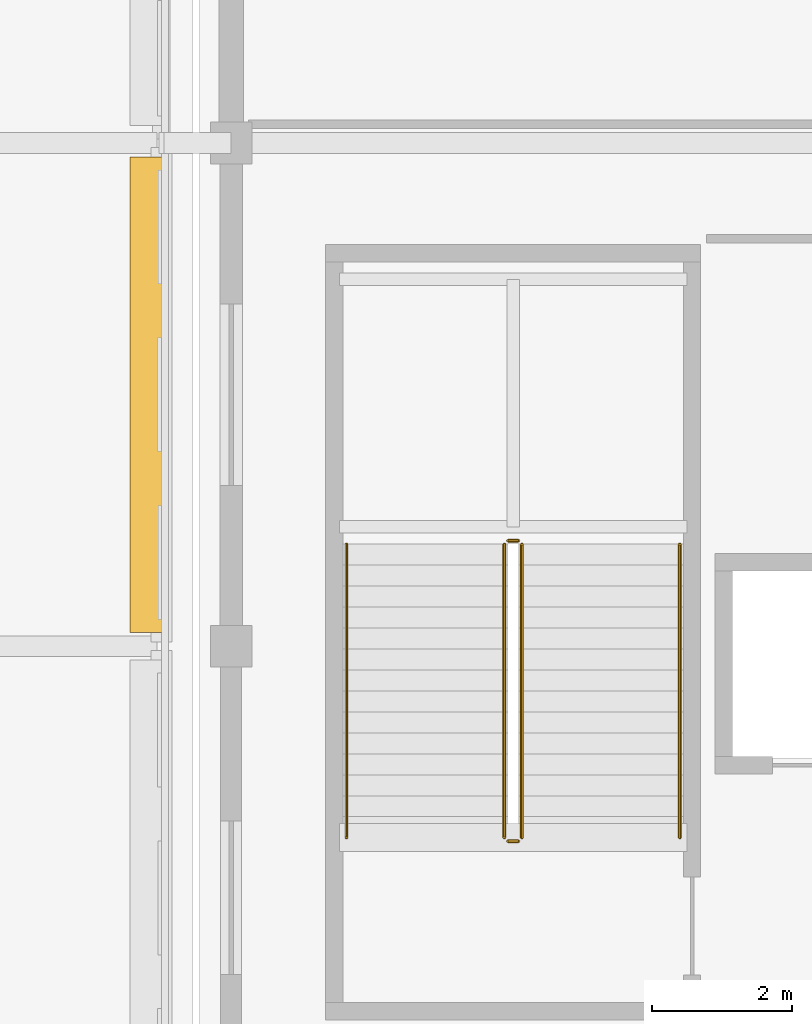
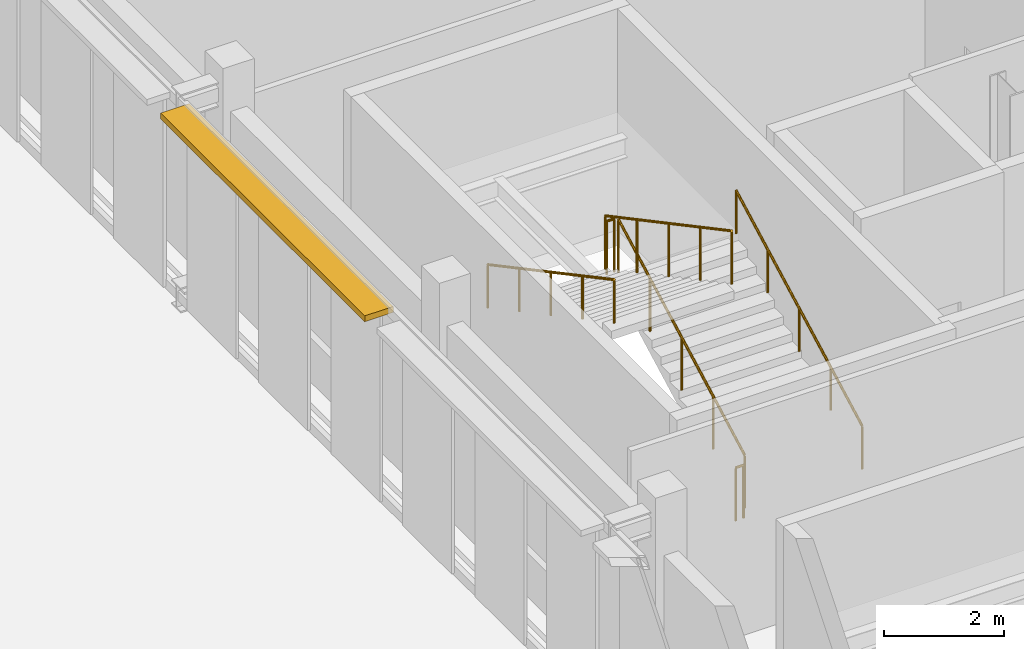
# One storey, part 60 of 74: 6 railings, 1 shading device.
"""IFC4 building model written with IfcOpenShell, lengths in metres."""

from ifc_helpers import new_model, si_unit, direction, frame, origin, origin_2d, place, context, subcontext, project, spatial, rectangle, circle, extrude, material, type_object, element, save


model = new_model("IFC4")

# Units and contexts
model_context = context("Model", 3, precision=1e-05, world=origin(), true_north=direction((0.0, 1.0)))
body_context = subcontext(model_context, "Body", "Model", "MODEL_VIEW")
ifc_project = project(units=[si_unit("LENGTHUNIT", "METRE"), si_unit("AREAUNIT", "SQUARE_METRE"), si_unit("VOLUMEUNIT", "CUBIC_METRE"), si_unit("PLANEANGLEUNIT", "RADIAN"), si_unit("MASSUNIT", "GRAM", prefix="KILO")], contexts=[model_context])

# Site, building, storey
site_placement = place(None, origin())
site = spatial("IfcSite", under=ifc_project, at=site_placement, CompositionType="ELEMENT")
building_placement = place(site_placement, origin())
building = spatial("IfcBuilding", under=site, at=building_placement, Name="Koshinbarg Plaza Stadium", CompositionType="ELEMENT")
storey_placement = place(building_placement, frame((0.0, 0.0, 15.0)))
storey = spatial("IfcBuildingStorey", under=building, at=storey_placement, Name="L03", CompositionType="ELEMENT", Elevation=15.0)

# Railings
ifc_material_1 = material(Name="Galvanized painted steel guardrail", Category="steel")
railing_type_1 = type_object("IfcRailingType", Name="RL-GUARD-1100", PredefinedType="GUARDRAIL", material=ifc_material_1)
railing_1_placement = place(storey_placement, frame((28.760009765625, 101.9599609375, 0.159912109375)))
element("IfcRailing", 1, at=railing_1_placement, inside=storey, type_object=railing_type_1, Name="L03 C06 stair guard 1", PredefinedType="GUARDRAIL", context=body_context, shape_type="SweptSolid", body=[
    extrude(circle(Radius=0.02392578125, at=origin_2d()), frame((0.0, 0.0, 1.076171875), z_axis=(0.0, 0.882351521365, 0.470590897432), x_axis=(-1.0, 0.0, 0.0)), (0.0, 0.0, 1.0), 4.760009765625),
    extrude(circle(Radius=0.02099609375, at=origin_2d()), origin(), (0.0, 0.0, 1.0), 1.052001953125),
    extrude(circle(Radius=0.02099609375, at=origin_2d()), frame((0.0, 1.050048828125, 0.56005859375)), (0.0, 0.0, 1.0), 1.052001953125),
    extrude(circle(Radius=0.02099609375, at=origin_2d()), frame((0.0, 2.10009765625, 1.1201171875)), (0.0, 0.0, 1.0), 1.052001953125),
    extrude(circle(Radius=0.02099609375, at=origin_2d()), frame((0.0, 3.14990234375, 1.679931640625)), (0.0, 0.0, 1.0), 1.052001953125),
    extrude(circle(Radius=0.02099609375, at=origin_2d()), frame((0.0, 4.199951171875, 2.239990234375)), (0.0, 0.0, 1.0), 1.052001953125),
])
railing_2_placement = place(storey_placement, frame((28.7099609375, 106.2099609375, 2.39990234375)))
element("IfcRailing", 2, at=railing_2_placement, inside=storey, type_object=railing_type_1, Name="L03 C06 stair guard 2", PredefinedType="GUARDRAIL", context=body_context, shape_type="SweptSolid", body=[
    extrude(circle(Radius=0.02392578125, at=origin_2d()), frame((0.0, 0.0, 1.076171875), z_axis=(-1.0, 0.0, 0.0), x_axis=(0.0, -1.0, 0.0)), (0.0, 0.0, 1.0), 0.14990234375),
    extrude(circle(Radius=0.02099609375, at=origin_2d()), origin(), (0.0, 0.0, 1.0), 1.052001953125),
    extrude(circle(Radius=0.02099609375, at=origin_2d()), frame((-0.14990234375, 0.0, 0.0)), (0.0, 0.0, 1.0), 1.052001953125),
])
railing_3_placement = place(storey_placement, frame((28.510009765625, 106.159912109375, 2.56005859375)))
element("IfcRailing", 3, at=railing_3_placement, inside=storey, type_object=railing_type_1, Name="L03 C06 stair guard 3", PredefinedType="GUARDRAIL", context=body_context, shape_type="SweptSolid", body=[
    extrude(circle(Radius=0.02392578125, at=origin_2d()), frame((0.0, 0.0, 1.076171875), z_axis=(0.0, -0.882351521365, 0.470590897432), x_axis=(1.0, 0.0, 0.0)), (0.0, 0.0, 1.0), 4.760009765625),
    extrude(circle(Radius=0.02099609375, at=origin_2d()), origin(), (0.0, 0.0, 1.0), 1.052001953125),
    extrude(circle(Radius=0.02099609375, at=origin_2d()), frame((0.0, -1.050048828125, 0.56005859375)), (0.0, 0.0, 1.0), 1.052001953125),
    extrude(circle(Radius=0.02099609375, at=origin_2d()), frame((0.0, -2.10009765625, 1.1201171875)), (0.0, 0.0, 1.0), 1.052001953125),
    extrude(circle(Radius=0.02099609375, at=origin_2d()), frame((0.0, -3.14990234375, 1.679931640625)), (0.0, 0.0, 1.0), 1.052001953125),
    extrude(circle(Radius=0.02099609375, at=origin_2d()), frame((0.0, -4.199951171875, 2.239990234375)), (0.0, 0.0, 1.0), 1.052001953125),
])
railing_4_placement = place(storey_placement, frame((28.7099609375, 101.909912109375, 0.0)))
element("IfcRailing", 4, at=railing_4_placement, inside=storey, type_object=railing_type_1, Name="L03 C06 stair guard 4", PredefinedType="GUARDRAIL", context=body_context, shape_type="SweptSolid", body=[
    extrude(circle(Radius=0.02392578125, at=origin_2d()), frame((0.0, 0.0, 1.076171875), z_axis=(-1.0, 0.0, 0.0), x_axis=(0.0, -1.0, 0.0)), (0.0, 0.0, 1.0), 0.14990234375),
    extrude(circle(Radius=0.02099609375, at=origin_2d()), origin(), (0.0, 0.0, 1.0), 1.052001953125),
    extrude(circle(Radius=0.02099609375, at=origin_2d()), frame((-0.14990234375, 0.0, 0.0)), (0.0, 0.0, 1.0), 1.052001953125),
])
ifc_material_2 = material(Name="Brushed stainless steel handrail", Category="steel")
railing_type_2 = type_object("IfcRailingType", Name="RL-HAND-900", PredefinedType="HANDRAIL", material=ifc_material_2)
railing_5_placement = place(storey_placement, frame((31.02001953125, 101.9599609375, 0.159912109375)))
element("IfcRailing", 5, at=railing_5_placement, inside=storey, type_object=railing_type_2, Name="L03 C06 stair handrail 1", PredefinedType="HANDRAIL", context=body_context, shape_type="SweptSolid", body=[
    extrude(circle(Radius=0.02392578125, at=origin_2d()), frame((0.0, 0.0, 0.8759765625), z_axis=(0.0, 0.882351521365, 0.470590897432), x_axis=(-1.0, 0.0, 0.0)), (0.0, 0.0, 1.0), 4.760009765625),
    extrude(circle(Radius=0.02099609375, at=origin_2d()), origin(), (0.0, 0.0, 1.0), 0.851806640625),
    extrude(circle(Radius=0.02099609375, at=origin_2d()), frame((0.0, 1.050048828125, 0.56005859375)), (0.0, 0.0, 1.0), 0.851806640625),
    extrude(circle(Radius=0.02099609375, at=origin_2d()), frame((0.0, 2.10009765625, 1.1201171875)), (0.0, 0.0, 1.0), 0.851806640625),
    extrude(circle(Radius=0.02099609375, at=origin_2d()), frame((0.0, 3.14990234375, 1.679931640625)), (0.0, 0.0, 1.0), 0.851806640625),
    extrude(circle(Radius=0.02099609375, at=origin_2d()), frame((0.0, 4.199951171875, 2.239990234375)), (0.0, 0.0, 1.0), 0.851806640625),
])
railing_6_placement = place(storey_placement, frame((26.25, 106.159912109375, 2.56005859375)))
element("IfcRailing", 6, at=railing_6_placement, inside=storey, type_object=railing_type_2, Name="L03 C06 stair handrail 2", PredefinedType="HANDRAIL", context=body_context, shape_type="SweptSolid", body=[
    extrude(circle(Radius=0.02392578125, at=origin_2d()), frame((0.0, 0.0, 0.8759765625), z_axis=(0.0, -0.882351521365, 0.470590897432), x_axis=(1.0, 0.0, 0.0)), (0.0, 0.0, 1.0), 4.760009765625),
    extrude(circle(Radius=0.02099609375, at=origin_2d()), origin(), (0.0, 0.0, 1.0), 0.851806640625),
    extrude(circle(Radius=0.02099609375, at=origin_2d()), frame((0.0, -1.050048828125, 0.56005859375)), (0.0, 0.0, 1.0), 0.851806640625),
    extrude(circle(Radius=0.02099609375, at=origin_2d()), frame((0.0, -2.10009765625, 1.1201171875)), (0.0, 0.0, 1.0), 0.851806640625),
    extrude(circle(Radius=0.02099609375, at=origin_2d()), frame((0.0, -3.14990234375, 1.679931640625)), (0.0, 0.0, 1.0), 0.851806640625),
    extrude(circle(Radius=0.02099609375, at=origin_2d()), frame((0.0, -4.199951171875, 2.239990234375)), (0.0, 0.0, 1.0), 0.851806640625),
])

# Shading device
ifc_material_3 = material(Name="Off-white powder-coated aluminium sun-baffle louvre", Category="aluminium")
shading_device_type = type_object("IfcShadingDeviceType", Name="SHD-LOUVRE-01", PredefinedType="USERDEFINED", material=ifc_material_3)
shading_device_placement = place(storey_placement, frame((23.429931640625, 108.300048828125, 4.119873046875), z_axis=(0.0, 0.0, 1.0), x_axis=(1.0, 0.0, 0.0)))
element("IfcShadingDevice", 7, at=shading_device_placement, inside=storey, type_object=shading_device_type, Name="L03 solar brise-soleil louvre 12", ObjectType="LOUVRE", PredefinedType="USERDEFINED", context=body_context, shape_type="SweptSolid", body=[
    extrude(rectangle(XDim=0.550048828125, YDim=6.800048828125, at=origin_2d()), origin(), (0.0, 0.0, 1.0), 0.1201171875),
])

save(model, "model.ifc")
